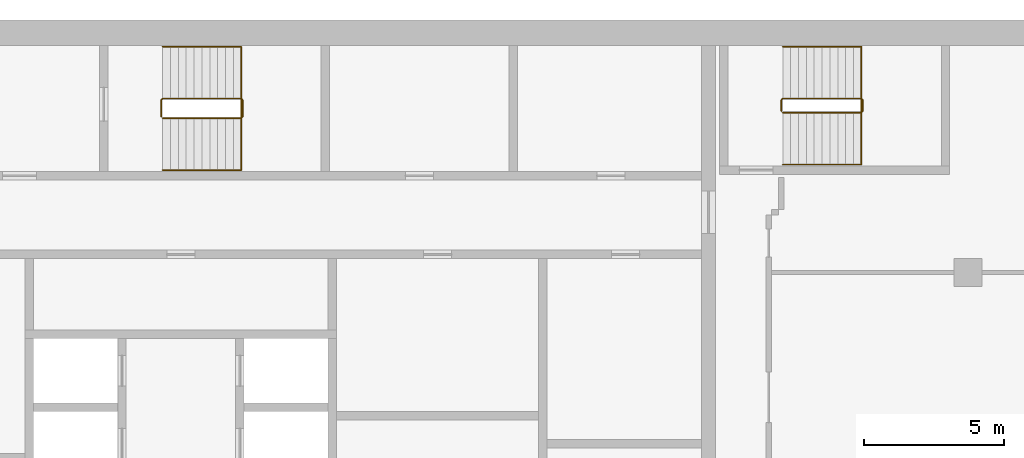
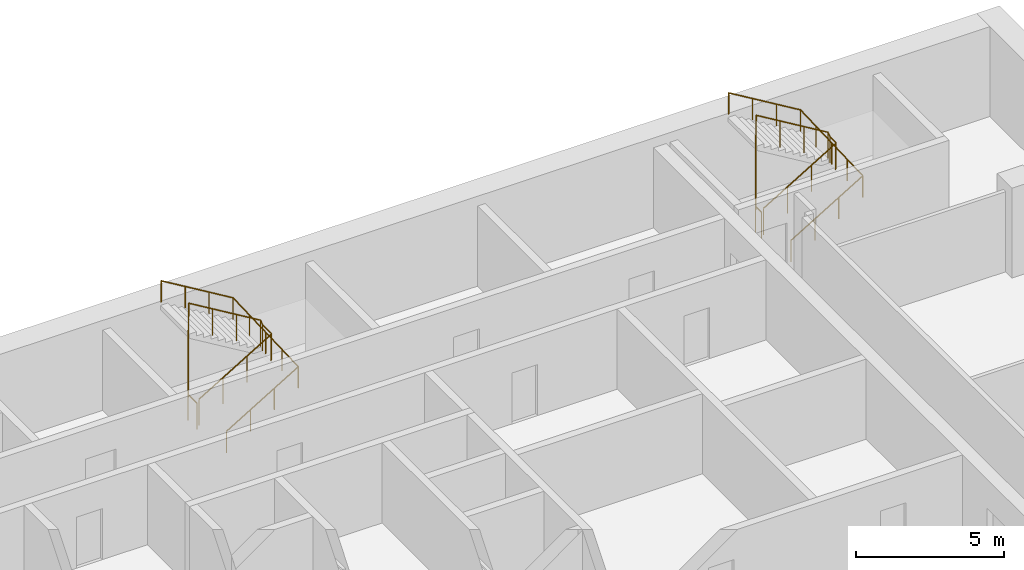
# One storey, part 17 of 17: 4 railings.
"""IFC4 building model written with IfcOpenShell, lengths in metres."""

from ifc_helpers import new_model, si_unit, direction, frame, origin, origin_2d, place, context, subcontext, project, spatial, circle, extrude, material, type_object, element, save


model = new_model("IFC4")

# Units and contexts
model_context = context("Model", 3, precision=1e-05, world=origin(), true_north=direction((0.0, 1.0)))
body_context = subcontext(model_context, "Body", "Model", "MODEL_VIEW")
ifc_project = project(units=[si_unit("LENGTHUNIT", "METRE"), si_unit("AREAUNIT", "SQUARE_METRE"), si_unit("VOLUMEUNIT", "CUBIC_METRE"), si_unit("PLANEANGLEUNIT", "RADIAN"), si_unit("MASSUNIT", "GRAM", prefix="KILO")], contexts=[model_context])

# Site, building, storey
site_placement = place(None, origin())
site = spatial("IfcSite", under=ifc_project, at=site_placement, CompositionType="ELEMENT")
building_placement = place(site_placement, origin())
building = spatial("IfcBuilding", under=site, at=building_placement, Name="Hunhe Ridgeline Campus", CompositionType="ELEMENT")
storey_placement = place(building_placement, frame((0.0, 0.0, 268.800048828125)))
storey = spatial("IfcBuildingStorey", under=building, at=storey_placement, Name="L69", CompositionType="ELEMENT", Elevation=268.800048828125)

# Railings
ifc_material_1 = material(Name="Stainless steel balustrade", Category="steel")
railing_type_1 = type_object("IfcRailingType", Name="Stair guard 1100 stainless", PredefinedType="GUARDRAIL", material=ifc_material_1)
railing_1_placement = place(storey_placement, frame((16.300048828125, 95.5, 0.168212890625)))
element("IfcRailing", 1, at=railing_1_placement, inside=storey, type_object=railing_type_1, Name="L69 stair S1 guard", PredefinedType="GUARDRAIL", context=body_context, shape_type="SweptSolid", body=[
    extrude(circle(Radius=0.02392578125, at=origin_2d()), frame((0.0, 0.0, 1.076171875), z_axis=(0.857275202839, 0.0, 0.514858452973), x_axis=(0.0, 1.0, 0.0)), (0.0, 0.0, 1.0), 3.26611328125),
    extrude(circle(Radius=0.02392578125, at=origin_2d()), frame((2.800048828125, 0.0, 2.7578125), z_axis=(0.705375805398, 0.708833529934, 0.0), x_axis=(-0.708833529934, 0.705375805398, 0.0)), (0.0, 0.0, 1.0), 0.070556640625),
    extrude(circle(Radius=0.02392578125, at=origin_2d()), frame((2.849853515625, 0.050048828125, 2.7578125), z_axis=(0.0, 1.0, 0.0), x_axis=(-1.0, 0.0, 0.0)), (0.0, 0.0, 1.0), 0.599853515625),
    extrude(circle(Radius=0.02392578125, at=origin_2d()), frame((2.849853515625, 0.64990234375, 2.7578125), z_axis=(-0.273006030465, 0.27434429532, 0.922064485248), x_axis=(-0.708833529934, -0.705375805398, 0.0)), (0.0, 0.0, 1.0), 0.182373046875),
    extrude(circle(Radius=0.02392578125, at=origin_2d()), frame((2.800048828125, 0.699951171875, 2.92578125), z_axis=(-0.857242210791, 0.0, 0.514913383045), x_axis=(0.0, -1.0, 0.0)), (0.0, 0.0, 1.0), 3.266357421875),
    extrude(circle(Radius=0.02392578125, at=origin_2d()), frame((0.0, 0.699951171875, 4.60791015625), z_axis=(-0.013524414389, -0.013524414389, -0.999817073484), x_axis=(0.707106781187, -0.707106781187, 0.0)), (0.0, 0.0, 1.0), 3.70068359375),
    extrude(circle(Radius=0.02392578125, at=origin_2d()), frame((-0.050048828125, 0.64990234375, 0.90771484375), z_axis=(0.0, -1.0, 0.0), x_axis=(1.0, 0.0, 0.0)), (0.0, 0.0, 1.0), 0.599853515625),
    extrude(circle(Radius=0.02099609375, at=origin_2d()), origin(), (0.0, 0.0, 1.0), 1.052001953125),
    extrude(circle(Radius=0.02099609375, at=origin_2d()), frame((0.933349609375, 0.0, 0.560546875)), (0.0, 0.0, 1.0), 1.052001953125),
    extrude(circle(Radius=0.02099609375, at=origin_2d()), frame((1.86669921875, 0.0, 1.12109375)), (0.0, 0.0, 1.0), 1.052001953125),
    extrude(circle(Radius=0.02099609375, at=origin_2d()), frame((2.800048828125, 0.0, 1.681640625)), (0.0, 0.0, 1.0), 1.052001953125),
    extrude(circle(Radius=0.02099609375, at=origin_2d()), frame((2.849853515625, 0.050048828125, 1.681640625)), (0.0, 0.0, 1.0), 1.052001953125),
    extrude(circle(Radius=0.02099609375, at=origin_2d()), frame((2.849853515625, 0.64990234375, 1.681640625)), (0.0, 0.0, 1.0), 1.052001953125),
    extrude(circle(Radius=0.02099609375, at=origin_2d()), frame((2.800048828125, 0.699951171875, 1.849853515625)), (0.0, 0.0, 1.0), 1.052001953125),
    extrude(circle(Radius=0.02099609375, at=origin_2d()), frame((1.86669921875, 0.699951171875, 2.410400390625)), (0.0, 0.0, 1.0), 1.052001953125),
    extrude(circle(Radius=0.02099609375, at=origin_2d()), frame((0.933349609375, 0.699951171875, 2.97119140625)), (0.0, 0.0, 1.0), 1.052001953125),
    extrude(circle(Radius=0.02099609375, at=origin_2d()), frame((0.0, 0.699951171875, 3.53173828125)), (0.0, 0.0, 1.0), 1.052001953125),
    extrude(circle(Radius=0.02099609375, at=origin_2d()), frame((-0.012451171875, 0.6875, 2.606689453125)), (0.0, 0.0, 1.0), 1.052001953125),
    extrude(circle(Radius=0.02099609375, at=origin_2d()), frame((-0.02490234375, 0.6748046875, 1.681640625)), (0.0, 0.0, 1.0), 1.052001953125),
    extrude(circle(Radius=0.02099609375, at=origin_2d()), frame((-0.03759765625, 0.662353515625, 0.7568359375)), (0.0, 0.0, 1.0), 1.052001953125),
    extrude(circle(Radius=0.02099609375, at=origin_2d()), frame((-0.050048828125, 0.64990234375, -0.168212890625)), (0.0, 0.0, 1.0), 1.052001953125),
    extrude(circle(Radius=0.02099609375, at=origin_2d()), frame((-0.050048828125, 0.050048828125, -0.168212890625)), (0.0, 0.0, 1.0), 1.052001953125),
])
railing_2_placement = place(storey_placement, frame((38.39990234375, 95.699951171875, 0.168212890625)))
element("IfcRailing", 2, at=railing_2_placement, inside=storey, type_object=railing_type_1, Name="L69 stair E1 guard", PredefinedType="GUARDRAIL", context=body_context, shape_type="SweptSolid", body=[
    extrude(circle(Radius=0.02392578125, at=origin_2d()), frame((0.0, 0.0, 1.076171875), z_axis=(0.857275202839, 0.0, 0.514858452973), x_axis=(0.0, 1.0, 0.0)), (0.0, 0.0, 1.0), 3.26611328125),
    extrude(circle(Radius=0.02392578125, at=origin_2d()), frame((2.800048828125, 0.0, 2.7578125), z_axis=(0.707106781187, 0.707106781187, 0.0), x_axis=(-0.707106781187, 0.707106781187, 0.0)), (0.0, 0.0, 1.0), 0.07080078125),
    extrude(circle(Radius=0.02392578125, at=origin_2d()), frame((2.85009765625, 0.050048828125, 2.7578125), z_axis=(0.0, 1.0, 0.0), x_axis=(-1.0, 0.0, 0.0)), (0.0, 0.0, 1.0), 0.39990234375),
    extrude(circle(Radius=0.02392578125, at=origin_2d()), frame((2.85009765625, 0.449951171875, 2.7578125), z_axis=(-0.274243871929, 0.274243871929, 0.92172696468), x_axis=(-0.707106781187, -0.707106781187, 0.0)), (0.0, 0.0, 1.0), 0.1826171875),
    extrude(circle(Radius=0.02392578125, at=origin_2d()), frame((2.800048828125, 0.5, 2.92578125), z_axis=(-0.857242210791, 0.0, 0.514913383045), x_axis=(0.0, -1.0, 0.0)), (0.0, 0.0, 1.0), 3.266357421875),
    extrude(circle(Radius=0.02392578125, at=origin_2d()), frame((0.0, 0.5, 4.60791015625), z_axis=(-0.013458453615, -0.013524426427, -0.999817963389), x_axis=(0.708833529934, -0.705375805398, 0.0)), (0.0, 0.0, 1.0), 3.70068359375),
    extrude(circle(Radius=0.02392578125, at=origin_2d()), frame((-0.0498046875, 0.449951171875, 0.90771484375), z_axis=(0.0, -1.0, 0.0), x_axis=(1.0, 0.0, 0.0)), (0.0, 0.0, 1.0), 0.39990234375),
    extrude(circle(Radius=0.02099609375, at=origin_2d()), origin(), (0.0, 0.0, 1.0), 1.052001953125),
    extrude(circle(Radius=0.02099609375, at=origin_2d()), frame((0.933349609375, 0.0, 0.560546875)), (0.0, 0.0, 1.0), 1.052001953125),
    extrude(circle(Radius=0.02099609375, at=origin_2d()), frame((1.86669921875, 0.0, 1.12109375)), (0.0, 0.0, 1.0), 1.052001953125),
    extrude(circle(Radius=0.02099609375, at=origin_2d()), frame((2.800048828125, 0.0, 1.681640625)), (0.0, 0.0, 1.0), 1.052001953125),
    extrude(circle(Radius=0.02099609375, at=origin_2d()), frame((2.85009765625, 0.050048828125, 1.681640625)), (0.0, 0.0, 1.0), 1.052001953125),
    extrude(circle(Radius=0.02099609375, at=origin_2d()), frame((2.85009765625, 0.449951171875, 1.681640625)), (0.0, 0.0, 1.0), 1.052001953125),
    extrude(circle(Radius=0.02099609375, at=origin_2d()), frame((2.800048828125, 0.5, 1.849853515625)), (0.0, 0.0, 1.0), 1.052001953125),
    extrude(circle(Radius=0.02099609375, at=origin_2d()), frame((1.86669921875, 0.5, 2.410400390625)), (0.0, 0.0, 1.0), 1.052001953125),
    extrude(circle(Radius=0.02099609375, at=origin_2d()), frame((0.933349609375, 0.5, 2.97119140625)), (0.0, 0.0, 1.0), 1.052001953125),
    extrude(circle(Radius=0.02099609375, at=origin_2d()), frame((0.0, 0.5, 3.53173828125)), (0.0, 0.0, 1.0), 1.052001953125),
    extrude(circle(Radius=0.02099609375, at=origin_2d()), frame((-0.012451171875, 0.487548828125, 2.606689453125)), (0.0, 0.0, 1.0), 1.052001953125),
    extrude(circle(Radius=0.02099609375, at=origin_2d()), frame((-0.02490234375, 0.47509765625, 1.681640625)), (0.0, 0.0, 1.0), 1.052001953125),
    extrude(circle(Radius=0.02099609375, at=origin_2d()), frame((-0.037353515625, 0.46240234375, 0.7568359375)), (0.0, 0.0, 1.0), 1.052001953125),
    extrude(circle(Radius=0.02099609375, at=origin_2d()), frame((-0.0498046875, 0.449951171875, -0.168212890625)), (0.0, 0.0, 1.0), 1.052001953125),
    extrude(circle(Radius=0.02099609375, at=origin_2d()), frame((-0.0498046875, 0.050048828125, -0.168212890625)), (0.0, 0.0, 1.0), 1.052001953125),
])
ifc_material_2 = material(Name="Stainless steel handrail", Category="steel")
railing_type_2 = type_object("IfcRailingType", Name="Stair handrail 900 stainless", PredefinedType="HANDRAIL", material=ifc_material_2)
railing_3_placement = place(storey_placement, frame((16.300048828125, 93.64990234375, 0.168212890625)))
element("IfcRailing", 3, at=railing_3_placement, inside=storey, type_object=railing_type_2, Name="L69 stair S1 handrail", PredefinedType="HANDRAIL", context=body_context, shape_type="SweptSolid", body=[
    extrude(circle(Radius=0.02392578125, at=origin_2d()), frame((0.0, 0.0, 0.8759765625), z_axis=(0.857275202839, 0.0, 0.514858452973), x_axis=(0.0, 1.0, 0.0)), (0.0, 0.0, 1.0), 3.26611328125),
    extrude(circle(Radius=0.02392578125, at=origin_2d()), frame((2.800048828125, 0.0, 2.5576171875), z_axis=(0.0, 0.999270074432, 0.038201025428), x_axis=(-1.0, 0.0, 0.0)), (0.0, 0.0, 1.0), 4.4033203125),
    extrude(circle(Radius=0.02392578125, at=origin_2d()), frame((2.800048828125, 4.400146484375, 2.7255859375), z_axis=(-0.857242210791, 0.0, 0.514913383045), x_axis=(0.0, -1.0, 0.0)), (0.0, 0.0, 1.0), 3.266357421875),
    extrude(circle(Radius=0.02099609375, at=origin_2d()), origin(), (0.0, 0.0, 1.0), 0.851806640625),
    extrude(circle(Radius=0.02099609375, at=origin_2d()), frame((0.933349609375, 0.0, 0.560546875)), (0.0, 0.0, 1.0), 0.851806640625),
    extrude(circle(Radius=0.02099609375, at=origin_2d()), frame((1.86669921875, 0.0, 1.12109375)), (0.0, 0.0, 1.0), 0.851806640625),
    extrude(circle(Radius=0.02099609375, at=origin_2d()), frame((2.800048828125, 0.0, 1.681640625)), (0.0, 0.0, 1.0), 0.851806640625),
    extrude(circle(Radius=0.02099609375, at=origin_2d()), frame((2.800048828125, 1.10009765625, 1.7236328125)), (0.0, 0.0, 1.0), 0.851806640625),
    extrude(circle(Radius=0.02099609375, at=origin_2d()), frame((2.800048828125, 2.2001953125, 1.765625)), (0.0, 0.0, 1.0), 0.851806640625),
    extrude(circle(Radius=0.02099609375, at=origin_2d()), frame((2.800048828125, 3.300048828125, 1.807861328125)), (0.0, 0.0, 1.0), 0.851806640625),
    extrude(circle(Radius=0.02099609375, at=origin_2d()), frame((2.800048828125, 4.400146484375, 1.849853515625)), (0.0, 0.0, 1.0), 0.851806640625),
    extrude(circle(Radius=0.02099609375, at=origin_2d()), frame((1.86669921875, 4.400146484375, 2.410400390625)), (0.0, 0.0, 1.0), 0.851806640625),
    extrude(circle(Radius=0.02099609375, at=origin_2d()), frame((0.933349609375, 4.400146484375, 2.97119140625)), (0.0, 0.0, 1.0), 0.851806640625),
    extrude(circle(Radius=0.02099609375, at=origin_2d()), frame((0.0, 4.400146484375, 3.53173828125)), (0.0, 0.0, 1.0), 0.851806640625),
])
railing_4_placement = place(storey_placement, frame((38.39990234375, 93.85009765625, 0.168212890625)))
element("IfcRailing", 4, at=railing_4_placement, inside=storey, type_object=railing_type_2, Name="L69 stair E1 handrail", PredefinedType="HANDRAIL", context=body_context, shape_type="SweptSolid", body=[
    extrude(circle(Radius=0.02392578125, at=origin_2d()), frame((0.0, 0.0, 0.8759765625), z_axis=(0.857275202839, 0.0, 0.514858452973), x_axis=(0.0, 1.0, 0.0)), (0.0, 0.0, 1.0), 3.26611328125),
    extrude(circle(Radius=0.02392578125, at=origin_2d()), frame((2.800048828125, 0.0, 2.5576171875), z_axis=(0.0, 0.999198916169, 0.040019069537), x_axis=(-1.0, 0.0, 0.0)), (0.0, 0.0, 1.0), 4.203369140625),
    extrude(circle(Radius=0.02392578125, at=origin_2d()), frame((2.800048828125, 4.199951171875, 2.7255859375), z_axis=(-0.857242210791, 0.0, 0.514913383045), x_axis=(0.0, -1.0, 0.0)), (0.0, 0.0, 1.0), 3.266357421875),
    extrude(circle(Radius=0.02099609375, at=origin_2d()), origin(), (0.0, 0.0, 1.0), 0.851806640625),
    extrude(circle(Radius=0.02099609375, at=origin_2d()), frame((0.933349609375, 0.0, 0.560546875)), (0.0, 0.0, 1.0), 0.851806640625),
    extrude(circle(Radius=0.02099609375, at=origin_2d()), frame((1.86669921875, 0.0, 1.12109375)), (0.0, 0.0, 1.0), 0.851806640625),
    extrude(circle(Radius=0.02099609375, at=origin_2d()), frame((2.800048828125, 0.0, 1.681640625)), (0.0, 0.0, 1.0), 0.851806640625),
    extrude(circle(Radius=0.02099609375, at=origin_2d()), frame((2.800048828125, 1.050048828125, 1.7236328125)), (0.0, 0.0, 1.0), 0.851806640625),
    extrude(circle(Radius=0.02099609375, at=origin_2d()), frame((2.800048828125, 2.10009765625, 1.765625)), (0.0, 0.0, 1.0), 0.851806640625),
    extrude(circle(Radius=0.02099609375, at=origin_2d()), frame((2.800048828125, 3.14990234375, 1.807861328125)), (0.0, 0.0, 1.0), 0.851806640625),
    extrude(circle(Radius=0.02099609375, at=origin_2d()), frame((2.800048828125, 4.199951171875, 1.849853515625)), (0.0, 0.0, 1.0), 0.851806640625),
    extrude(circle(Radius=0.02099609375, at=origin_2d()), frame((1.86669921875, 4.199951171875, 2.410400390625)), (0.0, 0.0, 1.0), 0.851806640625),
    extrude(circle(Radius=0.02099609375, at=origin_2d()), frame((0.933349609375, 4.199951171875, 2.97119140625)), (0.0, 0.0, 1.0), 0.851806640625),
    extrude(circle(Radius=0.02099609375, at=origin_2d()), frame((0.0, 4.199951171875, 3.53173828125)), (0.0, 0.0, 1.0), 0.851806640625),
])

save(model, "model.ifc")
